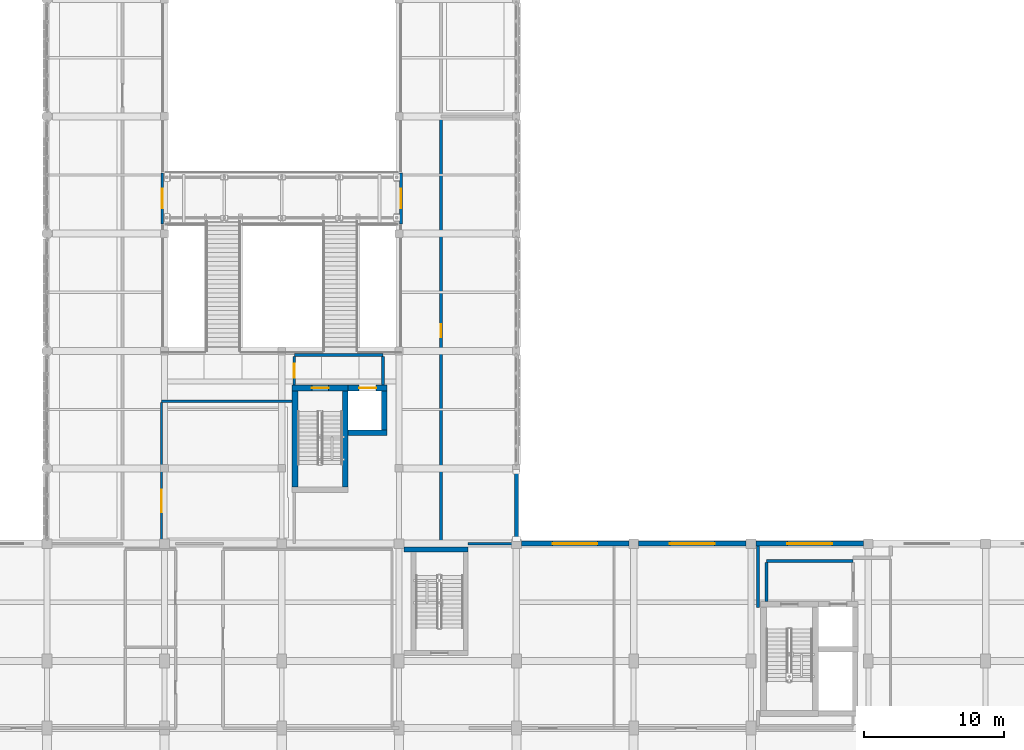
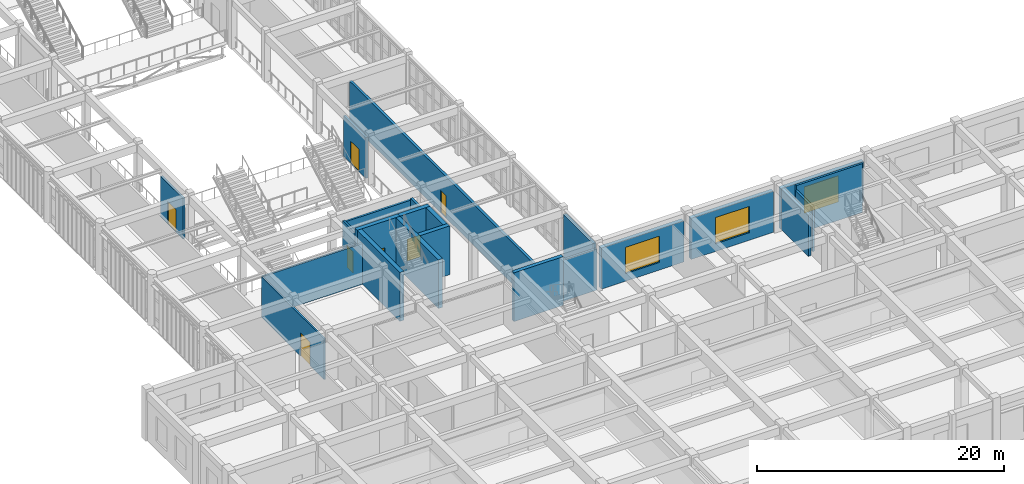
# One storey, part 86 of 106: 23 walls, 7 doors, 3 windows, 10 openings.
"""IFC4 building model written with IfcOpenShell, lengths in metres."""

from ifc_helpers import new_model, si_unit, direction, frame, frame_2d, origin, place, context, subcontext, project, spatial, rectangle, extrude, material, layer, layer_set, type_object, element, fill, save


model = new_model("IFC4")

# Units and contexts
model_context = context("Model", 3, precision=1e-05, world=origin(), true_north=direction((0.0, 1.0)))
body_context = subcontext(model_context, "Body", "Model", "MODEL_VIEW")
ifc_project = project(units=[si_unit("LENGTHUNIT", "METRE"), si_unit("AREAUNIT", "SQUARE_METRE"), si_unit("VOLUMEUNIT", "CUBIC_METRE"), si_unit("PLANEANGLEUNIT", "RADIAN"), si_unit("MASSUNIT", "GRAM", prefix="KILO")], contexts=[model_context])

# Site, building, storey
site_placement = place(None, origin())
site = spatial("IfcSite", under=ifc_project, at=site_placement, CompositionType="ELEMENT")
building_placement = place(site_placement, origin())
building = spatial("IfcBuilding", under=site, at=building_placement, Name="Krzemoval Escarpment Law Courts", CompositionType="ELEMENT")
storey_placement = place(building_placement, frame((0.0, 0.0, 5.10009765625)))
storey = spatial("IfcBuildingStorey", under=building, at=storey_placement, Name="L01", CompositionType="ELEMENT", Elevation=5.10009765625)

# Wall
ifc_material_1 = material(Name="Precast concrete C40/50", Category="concrete")
ifc_layer_1 = layer(ifc_material_1, 0.300048828125)
ifc_layer_set_1 = layer_set([ifc_layer_1], Name="Precast concrete C40/50")
wall_type_1 = type_object("IfcWallType", Name="WL-EXT-300", PredefinedType="SOLIDWALL", material=ifc_layer_set_1)
wall_1_placement = place(storey_placement, frame((42.0, 40.52490234375, 0.0), z_axis=(0.0, 0.0, 1.0), x_axis=(0.0, -1.0, 0.0)))
element("IfcWall", 1, at=wall_1_placement, inside=storey, type_object=wall_type_1, Name="Exterior Wall EW-L01-0257", PredefinedType="SOLIDWALL", context=body_context, shape_type="SweptSolid", body=[
    extrude(rectangle(XDim=4.77490234375, YDim=0.300048828125, at=frame_2d((2.387451171875, 0.0))), origin(), (0.0, 0.0, 1.0), 4.369873046875),
])

# Wall, opening, window
ifc_material_2 = material(Name="Precast concrete C40/50", Category="concrete")
ifc_layer_2 = layer(ifc_material_2, 0.360107421875)
ifc_layer_set_2 = layer_set([ifc_layer_2], Name="Precast concrete C40/50")
wall_type_2 = type_object("IfcWallType", Name="WL-EXT-360", PredefinedType="SOLIDWALL", material=ifc_layer_set_2)
wall_2_placement = place(storey_placement, frame((42.35009765625, 35.39990234375, 0.0), z_axis=(0.0, 0.0, 1.0), x_axis=(1.0, 0.0, 0.0)))
wall_2 = element("IfcWall", 2, at=wall_2_placement, inside=storey, type_object=wall_type_2, Name="Exterior Wall EW-L01-0258", PredefinedType="SOLIDWALL", context=body_context, shape_type="SweptSolid", body=[
    extrude(rectangle(XDim=7.699951171875, YDim=0.360107421875, at=frame_2d((3.85009765625, 0.0))), origin(), (0.0, 0.0, 1.0), 4.06982421875),
])
opening_1_placement = place(wall_2_placement, frame((2.25, 0.0, 0.75)))
opening_1 = element("IfcOpeningElement", 3, at=opening_1_placement, cuts=wall_2, Name="Opening WN-L01-0273", PredefinedType="OPENING", context=body_context, shape_type="SweptSolid", body=[
    extrude(rectangle(XDim=3.199951171875, YDim=2.60009765625, at=frame_2d((1.60009765625, 1.300048828125))), frame((0.0, 0.19505, 0.0), z_axis=(0.0, -1.0, 0.0), x_axis=(1.0, 0.0, 0.0)), (0.0, 0.0, 1.0), 0.39011),
])
ifc_material_3 = material(Name="Thermally Broken Aluminium Frame with Triple Low-E Acoustic Glass", Category="aluminium")
window_type = type_object("IfcWindowType", Name="WN-3200x2600", PartitioningType="SINGLE_PANEL", PredefinedType="WINDOW", material=ifc_material_3)
window_1_placement = place(opening_1_placement, origin())
window_1 = element("IfcWindow", 4, at=window_1_placement, inside=storey, type_object=window_type, Name="Facade Window WN-L01-0273", OverallHeight=2.60009765625, OverallWidth=3.199951171875, PartitioningType="SINGLE_PANEL", PredefinedType="WINDOW", context=body_context, shape_type="SweptSolid", body=[
    extrude(rectangle(XDim=3.199951171875, YDim=2.60009765625, at=frame_2d((1.60009765625, 1.300048828125))), frame((0.0, 0.030029296875, 0.0), z_axis=(0.0, -1.0, 0.0), x_axis=(1.0, 0.0, 0.0)), (0.0, 0.0, 1.0), 0.06005859375),
])
fill(opening_1, window_1)

wall_3_placement = place(storey_placement, frame((50.75, 35.39990234375, 0.0), z_axis=(0.0, 0.0, 1.0), x_axis=(1.0, 0.0, 0.0)))
wall_3 = element("IfcWall", 5, at=wall_3_placement, inside=storey, type_object=wall_type_2, Name="Exterior Wall EW-L01-0259", PredefinedType="SOLIDWALL", context=body_context, shape_type="SweptSolid", body=[
    extrude(rectangle(XDim=7.699951171875, YDim=0.360107421875, at=frame_2d((3.85009765625, 0.0))), origin(), (0.0, 0.0, 1.0), 4.06982421875),
])
opening_2_placement = place(wall_3_placement, frame((2.25, 0.0, 0.75)))
opening_2 = element("IfcOpeningElement", 6, at=opening_2_placement, cuts=wall_3, Name="Opening WN-L01-0274", PredefinedType="OPENING", context=body_context, shape_type="SweptSolid", body=[
    extrude(rectangle(XDim=3.199951171875, YDim=2.60009765625, at=frame_2d((1.60009765625, 1.300048828125))), frame((0.0, 0.19505, 0.0), z_axis=(0.0, -1.0, 0.0), x_axis=(1.0, 0.0, 0.0)), (0.0, 0.0, 1.0), 0.39011),
])
window_2_placement = place(opening_2_placement, origin())
window_2 = element("IfcWindow", 7, at=window_2_placement, inside=storey, type_object=window_type, Name="Facade Window WN-L01-0274", OverallHeight=2.60009765625, OverallWidth=3.199951171875, PartitioningType="SINGLE_PANEL", PredefinedType="WINDOW", context=body_context, shape_type="SweptSolid", body=[
    extrude(rectangle(XDim=3.199951171875, YDim=2.60009765625, at=frame_2d((1.60009765625, 1.300048828125))), frame((0.0, 0.030029296875, 0.0), z_axis=(0.0, -1.0, 0.0), x_axis=(1.0, 0.0, 0.0)), (0.0, 0.0, 1.0), 0.06005859375),
])
fill(opening_2, window_2)

wall_4_placement = place(storey_placement, frame((59.14990234375, 35.39990234375, 0.0), z_axis=(0.0, 0.0, 1.0), x_axis=(1.0, 0.0, 0.0)))
wall_4 = element("IfcWall", 8, at=wall_4_placement, inside=storey, type_object=wall_type_2, Name="Exterior Wall EW-L01-0260", PredefinedType="SOLIDWALL", context=body_context, shape_type="SweptSolid", body=[
    extrude(rectangle(XDim=7.7001953125, YDim=0.360107421875, at=frame_2d((3.85009765625, 0.0))), origin(), (0.0, 0.0, 1.0), 4.06982421875),
])
opening_3_placement = place(wall_4_placement, frame((2.25, 0.0, 0.75)))
opening_3 = element("IfcOpeningElement", 9, at=opening_3_placement, cuts=wall_4, Name="Opening WN-L01-0275", PredefinedType="OPENING", context=body_context, shape_type="SweptSolid", body=[
    extrude(rectangle(XDim=3.199951171875, YDim=2.60009765625, at=frame_2d((1.60009765625, 1.300048828125))), frame((0.0, 0.19505, 0.0), z_axis=(0.0, -1.0, 0.0), x_axis=(1.0, 0.0, 0.0)), (0.0, 0.0, 1.0), 0.39011),
])
window_3_placement = place(opening_3_placement, origin())
window_3 = element("IfcWindow", 10, at=window_3_placement, inside=storey, type_object=window_type, Name="Facade Window WN-L01-0275", OverallHeight=2.60009765625, OverallWidth=3.199951171875, PartitioningType="SINGLE_PANEL", PredefinedType="WINDOW", context=body_context, shape_type="SweptSolid", body=[
    extrude(rectangle(XDim=3.199951171875, YDim=2.60009765625, at=frame_2d((1.60009765625, 1.300048828125))), frame((0.0, 0.030029296875, 0.0), z_axis=(0.0, -1.0, 0.0), x_axis=(1.0, 0.0, 0.0)), (0.0, 0.0, 1.0), 0.06005859375),
])
fill(opening_3, window_3)

# Wall, opening, door
ifc_material_4 = material(Name="Office Acoustic Partition Wall", Category="gypsum")
ifc_layer_3 = layer(ifc_material_4, 0.14990234375)
ifc_layer_set_3 = layer_set([ifc_layer_3], Name="Office Acoustic Partition Wall")
wall_type_3 = type_object("IfcWallType", Name="WL-PRT-150", PredefinedType="PARTITIONING", material=ifc_layer_set_3)
wall_5_placement = place(storey_placement, frame((16.60009765625, 35.39990234375, 0.0), z_axis=(0.0, 0.0, 1.0), x_axis=(0.0, 1.0, 0.0)))
wall_5 = element("IfcWall", 11, at=wall_5_placement, inside=storey, type_object=wall_type_3, Name="Interior Partition PW-L01-0299", PredefinedType="PARTITIONING", context=body_context, shape_type="SweptSolid", body=[
    extrude(rectangle(XDim=10.108154296875, YDim=0.14990234375, at=frame_2d((5.05419921875, 0.0))), origin(), (0.0, 0.0, 1.0), 4.02001953125),
])
opening_4_placement = place(wall_5_placement, frame((2.25390625, 0.0, 0.0)))
opening_4 = element("IfcOpeningElement", 12, at=opening_4_placement, cuts=wall_5, Name="Opening D-L01-0108", PredefinedType="OPENING", context=body_context, shape_type="SweptSolid", body=[
    extrude(rectangle(XDim=1.60009765625, YDim=2.300048828125, at=frame_2d((0.800048828125, 1.14990234375))), frame((0.0, 0.08995, 0.0), z_axis=(0.0, -1.0, 0.0), x_axis=(1.0, 0.0, 0.0)), (0.0, 0.0, 1.0), 0.1799),
])
ifc_material_5 = material(Name="Engineered Solid-Core Oak Acoustic Timber", Category="wood")
door_type_1 = type_object("IfcDoorType", Name="DR-CRT-1600x2300", OperationType="SINGLE_SWING_LEFT", PredefinedType="DOOR", material=ifc_material_5)
door_1_placement = place(opening_4_placement, origin())
door_1 = element("IfcDoor", 13, at=door_1_placement, inside=storey, type_object=door_type_1, Name="Room Door D-L01-0108", OperationType="SINGLE_SWING_LEFT", OverallHeight=2.300048828125, OverallWidth=1.60009765625, PredefinedType="DOOR", context=body_context, shape_type="SweptSolid", body=[
    extrude(rectangle(XDim=1.60009765625, YDim=2.300048828125, at=frame_2d((0.800048828125, 1.14990234375))), frame((0.0, 0.02490234375, 0.0), z_axis=(0.0, -1.0, 0.0), x_axis=(1.0, 0.0, 0.0)), (0.0, 0.0, 1.0), 0.050048828125),
])
fill(opening_4, door_1)

# Wall
ifc_material_6 = material(Name="Judicial Chambers Acoustic Partition", Category="gypsum")
ifc_layer_4 = layer(ifc_material_6, 0.179931640625)
ifc_layer_set_4 = layer_set([ifc_layer_4], Name="Judicial Chambers Acoustic Partition")
wall_type_4 = type_object("IfcWallType", Name="WL-PRT-180", PredefinedType="PARTITIONING", material=ifc_layer_set_4)
wall_6_placement = place(storey_placement, frame((16.60009765625, 45.60009765625, 0.0), z_axis=(0.0, 0.0, 1.0), x_axis=(1.0, 0.0, 0.0)))
element("IfcWall", 14, at=wall_6_placement, inside=storey, type_object=wall_type_4, Name="Interior Partition PW-L01-0263", PredefinedType="PARTITIONING", context=body_context, shape_type="SweptSolid", body=[
    extrude(rectangle(XDim=9.347900390625, YDim=0.179931640625, at=frame_2d((4.673828125, 0.0))), origin(), (0.0, 0.0, 1.0), 4.02001953125),
])

# Wall, opening, door
ifc_material_7 = material(Name="Fire-Rated Corridor Partition Wall", Category="gypsum")
ifc_layer_5 = layer(ifc_material_7, 0.199951171875)
ifc_layer_set_5 = layer_set([ifc_layer_5], Name="Fire-Rated Corridor Partition Wall")
wall_type_5 = type_object("IfcWallType", Name="WL-PRT-200", PredefinedType="PARTITIONING", material=ifc_layer_set_5)
wall_7_placement = place(storey_placement, frame((16.64990234375, 58.300048828125, 0.0), z_axis=(0.0, 0.0, 1.0), x_axis=(0.0, 1.0, 0.0)))
wall_7 = element("IfcWall", 15, at=wall_7_placement, inside=storey, type_object=wall_type_5, Name="Atrium Bridge Smoke Portal Wall PW-L01-0001", PredefinedType="PARTITIONING", context=body_context, shape_type="SweptSolid", body=[
    extrude(rectangle(XDim=3.6298828125, YDim=0.199951171875, at=frame_2d((1.81494140625, 0.0))), origin(), (0.0, 0.0, 1.0), 4.02001953125),
])
opening_5_placement = place(wall_7_placement, frame((1.114990234375, 0.0, 0.0)))
opening_5 = element("IfcOpeningElement", 16, at=opening_5_placement, cuts=wall_7, Name="Opening D-L01-0001", PredefinedType="OPENING", context=body_context, shape_type="SweptSolid", body=[
    extrude(rectangle(XDim=1.39990234375, YDim=2.199951171875, at=frame_2d((0.699951171875, 1.10009765625))), frame((0.0, 0.11498, 0.0), z_axis=(0.0, -1.0, 0.0), x_axis=(1.0, 0.0, 0.0)), (0.0, 0.0, 1.0), 0.22995),
])
ifc_material_8 = material(Name="Galvanised Steel S355", Category="steel")
door_type_2 = type_object("IfcDoorType", Name="DR-FFL-1400x2200", OperationType="SINGLE_SWING_LEFT", PredefinedType="DOOR", material=ifc_material_8)
door_2_placement = place(opening_5_placement, origin())
door_2 = element("IfcDoor", 17, at=door_2_placement, inside=storey, type_object=door_type_2, Name="Atrium Bridge Smoke Door D-L01-0001", OperationType="SINGLE_SWING_LEFT", OverallHeight=2.199951171875, OverallWidth=1.39990234375, PredefinedType="DOOR", context=body_context, shape_type="SweptSolid", body=[
    extrude(rectangle(XDim=1.39990234375, YDim=2.199951171875, at=frame_2d((0.699951171875, 1.10009765625))), frame((0.0, 0.02490234375, 0.0), z_axis=(0.0, -1.0, 0.0), x_axis=(1.0, 0.0, 0.0)), (0.0, 0.0, 1.0), 0.050048828125),
])
fill(opening_5, door_2)

wall_8_placement = place(storey_placement, frame((33.75, 58.300048828125, 0.0), z_axis=(0.0, 0.0, 1.0), x_axis=(0.0, 1.0, 0.0)))
wall_8 = element("IfcWall", 18, at=wall_8_placement, inside=storey, type_object=wall_type_5, Name="Atrium Bridge Smoke Portal Wall PW-L01-0002", PredefinedType="PARTITIONING", context=body_context, shape_type="SweptSolid", body=[
    extrude(rectangle(XDim=3.6298828125, YDim=0.199951171875, at=frame_2d((1.81494140625, 0.0))), origin(), (0.0, 0.0, 1.0), 4.02001953125),
])
opening_6_placement = place(wall_8_placement, frame((1.114990234375, 0.0, 0.0)))
opening_6 = element("IfcOpeningElement", 19, at=opening_6_placement, cuts=wall_8, Name="Opening D-L01-0002", PredefinedType="OPENING", context=body_context, shape_type="SweptSolid", body=[
    extrude(rectangle(XDim=1.39990234375, YDim=2.199951171875, at=frame_2d((0.699951171875, 1.10009765625))), frame((0.0, 0.11498, 0.0), z_axis=(0.0, -1.0, 0.0), x_axis=(1.0, 0.0, 0.0)), (0.0, 0.0, 1.0), 0.22995),
])
door_3_placement = place(opening_6_placement, origin())
door_3 = element("IfcDoor", 20, at=door_3_placement, inside=storey, type_object=door_type_2, Name="Atrium Bridge Smoke Door D-L01-0002", OperationType="SINGLE_SWING_LEFT", OverallHeight=2.199951171875, OverallWidth=1.39990234375, PredefinedType="DOOR", context=body_context, shape_type="SweptSolid", body=[
    extrude(rectangle(XDim=1.39990234375, YDim=2.199951171875, at=frame_2d((0.699951171875, 1.10009765625))), frame((0.0, 0.02490234375, 0.0), z_axis=(0.0, -1.0, 0.0), x_axis=(1.0, 0.0, 0.0)), (0.0, 0.0, 1.0), 0.050048828125),
])
fill(opening_6, door_3)

# Walls
wall_9_placement = place(storey_placement, frame((59.89990234375, 34.14990234375, 0.0), z_axis=(0.0, 0.0, 1.0), x_axis=(1.0, 0.0, 0.0)))
element("IfcWall", 21, at=wall_9_placement, inside=storey, type_object=wall_type_5, Name="Interior Partition PW-L01-0251", PredefinedType="PARTITIONING", context=body_context, shape_type="SweptSolid", body=[
    extrude(rectangle(XDim=6.2001953125, YDim=0.199951171875, at=frame_2d((3.10009765625, 0.0))), origin(), (0.0, 0.0, 1.0), 4.81982421875),
])
wall_10_placement = place(storey_placement, frame((38.550048828125, 35.39990234375, 0.0), z_axis=(0.0, 0.0, 1.0), x_axis=(1.0, 0.0, 0.0)))
element("IfcWall", 22, at=wall_10_placement, inside=storey, type_object=wall_type_5, Name="Interior Partition PW-L01-0259", PredefinedType="PARTITIONING", context=body_context, shape_type="SweptSolid", body=[
    extrude(rectangle(XDim=3.4150390625, YDim=0.199951171875, at=frame_2d((1.70751953125, 0.0))), origin(), (0.0, 0.0, 1.0), 4.06982421875),
])
wall_11_placement = place(storey_placement, frame((26.10009765625, 48.89990234375, 0.0), z_axis=(0.0, 0.0, 1.0), x_axis=(1.0, 0.0, 0.0)))
element("IfcWall", 23, at=wall_11_placement, inside=storey, type_object=wall_type_5, Name="Interior Partition PW-L01-0264", PredefinedType="PARTITIONING", context=body_context, shape_type="SweptSolid", body=[
    extrude(rectangle(XDim=6.349853515625, YDim=0.199951171875, at=frame_2d((3.1748046875, 0.0))), origin(), (0.0, 0.0, 1.0), 4.06982421875),
])

# Wall, opening, door
wall_12_placement = place(storey_placement, frame((26.10009765625, 46.751953125, 0.0), z_axis=(0.0, 0.0, 1.0), x_axis=(0.0, 1.0, 0.0)))
wall_12 = element("IfcWall", 24, at=wall_12_placement, inside=storey, type_object=wall_type_5, Name="Interior Partition PW-L01-0306", PredefinedType="PARTITIONING", context=body_context, shape_type="SweptSolid", body=[
    extrude(rectangle(XDim=2.046142578125, YDim=0.199951171875, at=frame_2d((1.02294921875, 0.0))), origin(), (0.0, 0.0, 1.0), 4.27001953125),
])
opening_7_placement = place(wall_12_placement, frame((0.52294921875, 0.0, 0.0)))
opening_7 = element("IfcOpeningElement", 25, at=opening_7_placement, cuts=wall_12, Name="Opening D-L01-0084", PredefinedType="OPENING", context=body_context, shape_type="SweptSolid", body=[
    extrude(rectangle(XDim=1.0, YDim=2.10009765625, at=frame_2d((0.5, 1.050048828125))), frame((0.0, 0.11498, 0.0), z_axis=(0.0, -1.0, 0.0), x_axis=(1.0, 0.0, 0.0)), (0.0, 0.0, 1.0), 0.22995),
])
ifc_material_9 = material(Name="Engineered Solid-Core Oak Acoustic Timber", Category="wood")
door_type_3 = type_object("IfcDoorType", Name="DR-INT-1000x2100", OperationType="SINGLE_SWING_LEFT", PredefinedType="DOOR", material=ifc_material_9)
door_4_placement = place(opening_7_placement, origin())
door_4 = element("IfcDoor", 26, at=door_4_placement, inside=storey, type_object=door_type_3, Name="Room Door D-L01-0084", OperationType="SINGLE_SWING_RIGHT", OverallHeight=2.10009765625, OverallWidth=1.0, PredefinedType="DOOR", context=body_context, shape_type="SweptSolid", body=[
    extrude(rectangle(XDim=1.0, YDim=2.10009765625, at=frame_2d((0.5, 1.050048828125))), frame((0.0, 0.02490234375, 0.0), z_axis=(0.0, -1.0, 0.0), x_axis=(1.0, 0.0, 0.0)), (0.0, 0.0, 1.0), 0.050048828125),
])
fill(opening_7, door_4)

# Walls
wall_13_placement = place(storey_placement, frame((32.449951171875, 46.751953125, 0.0), z_axis=(0.0, 0.0, 1.0), x_axis=(0.0, 1.0, 0.0)))
element("IfcWall", 27, at=wall_13_placement, inside=storey, type_object=wall_type_5, Name="Interior Partition PW-L01-0308", PredefinedType="PARTITIONING", context=body_context, shape_type="SweptSolid", body=[
    extrude(rectangle(XDim=2.046142578125, YDim=0.199951171875, at=frame_2d((1.02294921875, 0.0))), origin(), (0.0, 0.0, 1.0), 4.27001953125),
])
wall_14_placement = place(storey_placement, frame((59.89990234375, 31.27197265625, 0.0), z_axis=(0.0, 0.0, 1.0), x_axis=(0.0, 1.0, 0.0)))
element("IfcWall", 28, at=wall_14_placement, inside=storey, type_object=wall_type_5, Name="Interior Partition PW-L01-0321", PredefinedType="PARTITIONING", context=body_context, shape_type="SweptSolid", body=[
    extrude(rectangle(XDim=2.776123046875, YDim=0.199951171875, at=frame_2d((1.38818359375, 0.0))), origin(), (0.0, 0.0, 1.0), 4.369873046875),
])

# Wall, opening, door
ifc_material_10 = material(Name="Acoustic Courtroom Partition Assembly", Category="gypsum")
ifc_layer_6 = layer(ifc_material_10, 0.239990234375)
ifc_layer_set_6 = layer_set([ifc_layer_6], Name="Acoustic Courtroom Partition Assembly")
wall_type_6 = type_object("IfcWallType", Name="WL-PRT-240", PredefinedType="PARTITIONING", material=ifc_layer_set_6)
wall_15_placement = place(storey_placement, frame((36.60009765625, 35.39990234375, 0.0), z_axis=(0.0, 0.0, 1.0), x_axis=(0.0, 1.0, 0.0)))
wall_15 = element("IfcWall", 29, at=wall_15_placement, inside=storey, type_object=wall_type_6, Name="Interior Partition PW-L01-0313", PredefinedType="PARTITIONING", context=body_context, shape_type="SweptSolid", body=[
    extrude(rectangle(XDim=30.488037109375, YDim=0.239990234375, at=frame_2d((15.244140625, 0.0))), origin(), (0.0, 0.0, 1.0), 4.06982421875),
])
opening_8_placement = place(wall_15_placement, frame((14.7939453125, 0.0, 0.0)))
opening_8 = element("IfcOpeningElement", 30, at=opening_8_placement, cuts=wall_15, Name="Opening D-L01-0109", PredefinedType="OPENING", context=body_context, shape_type="SweptSolid", body=[
    extrude(rectangle(XDim=0.89990234375, YDim=2.199951171875, at=frame_2d((0.449951171875, 1.10009765625))), frame((0.0, 0.135, 0.0), z_axis=(0.0, -1.0, 0.0), x_axis=(1.0, 0.0, 0.0)), (0.0, 0.0, 1.0), 0.26999),
])
ifc_material_11 = material(Name="Engineered Solid-Core Oak Acoustic Timber", Category="wood")
door_type_4 = type_object("IfcDoorType", Name="DR-INT-900x2200", OperationType="SINGLE_SWING_LEFT", PredefinedType="DOOR", material=ifc_material_11)
door_5_placement = place(opening_8_placement, origin())
door_5 = element("IfcDoor", 31, at=door_5_placement, inside=storey, type_object=door_type_4, Name="Room Door D-L01-0109", OperationType="SINGLE_SWING_RIGHT", OverallHeight=2.199951171875, OverallWidth=0.89990234375, PredefinedType="DOOR", context=body_context, shape_type="SweptSolid", body=[
    extrude(rectangle(XDim=0.89990234375, YDim=2.199951171875, at=frame_2d((0.449951171875, 1.10009765625))), frame((0.0, 0.02490234375, 0.0), z_axis=(0.0, -1.0, 0.0), x_axis=(1.0, 0.0, 0.0)), (0.0, 0.0, 1.0), 0.050048828125),
])
fill(opening_8, door_5)

# Walls
wall_16_placement = place(storey_placement, frame((59.300048828125, 30.847900390625, 0.0), z_axis=(0.0, 0.0, 1.0), x_axis=(0.0, 1.0, 0.0)))
element("IfcWall", 32, at=wall_16_placement, inside=storey, type_object=wall_type_6, Name="Interior Partition PW-L01-0320", PredefinedType="PARTITIONING", context=body_context, shape_type="SweptSolid", body=[
    extrude(rectangle(XDim=4.3701171875, YDim=0.239990234375, at=frame_2d((2.18505859375, 0.0))), origin(), (0.0, 0.0, 1.0), 4.06982421875),
])
ifc_material_12 = material(Name="Concrete C40/50", Category="concrete")
ifc_layer_7 = layer(ifc_material_12, 0.35009765625)
ifc_layer_set_7 = layer_set([ifc_layer_7], Name="Concrete C40/50")
wall_type_7 = type_object("IfcWallType", Name="WL-SHW-350", PredefinedType="SHEAR", material=ifc_layer_set_7)
wall_17_placement = place(storey_placement, frame((33.93896484375, 34.97509765625, 0.0), z_axis=(0.0, 0.0, 1.0), x_axis=(1.0, 0.0, 0.0)))
element("IfcWall", 33, at=wall_17_placement, inside=storey, type_object=wall_type_7, Name="Core Stair Shear Wall SW-L01-0603", PredefinedType="SHEAR", context=body_context, shape_type="SweptSolid", body=[
    extrude(rectangle(XDim=4.611083984375, YDim=0.35009765625, at=frame_2d((2.3056640625, 0.0))), origin(), (0.0, 0.0, 1.0), 4.81982421875),
])

# Wall, opening, door
ifc_material_13 = material(Name="Concrete C40/50", Category="concrete")
ifc_layer_8 = layer(ifc_material_13, 0.39990234375)
ifc_layer_set_8 = layer_set([ifc_layer_8], Name="Concrete C40/50")
wall_type_8 = type_object("IfcWallType", Name="WL-SHW-400", PredefinedType="SHEAR", material=ifc_layer_set_8)
wall_18_placement = place(storey_placement, frame((25.949951171875, 46.550048828125, 0.0), z_axis=(0.0, 0.0, 1.0), x_axis=(1.0, 0.0, 0.0)))
wall_18 = element("IfcWall", 34, at=wall_18_placement, inside=storey, type_object=wall_type_8, Name="Core Stair Shear Wall SW-L01-0519", PredefinedType="SHEAR", context=body_context, shape_type="SweptSolid", body=[
    extrude(rectangle(XDim=4.0, YDim=0.39990234375, at=frame_2d((2.0, 0.0))), origin(), (0.0, 0.0, 1.0), 4.81982421875),
])
opening_9_placement = place(wall_18_placement, frame((1.39990234375, 0.0, 0.0)))
opening_9 = element("IfcOpeningElement", 35, at=opening_9_placement, cuts=wall_18, Name="Opening SD-ST5-L01", PredefinedType="OPENING", context=body_context, shape_type="SweptSolid", body=[
    extrude(rectangle(XDim=1.199951171875, YDim=2.199951171875, at=frame_2d((0.60009765625, 1.10009765625))), frame((0.0, 0.21495, 0.0), z_axis=(0.0, -1.0, 0.0), x_axis=(1.0, 0.0, 0.0)), (0.0, 0.0, 1.0), 0.4299),
])
ifc_material_14 = material(Name="Galvanised Steel S355", Category="steel")
door_type_5 = type_object("IfcDoorType", Name="DR-STR-1200x2200", OperationType="SINGLE_SWING_LEFT", PredefinedType="DOOR", material=ifc_material_14)
door_6_placement = place(opening_9_placement, origin())
door_6 = element("IfcDoor", 36, at=door_6_placement, inside=storey, type_object=door_type_5, Name="Stair Exit Door SD-ST5-L01", OperationType="SINGLE_SWING_LEFT", OverallHeight=2.199951171875, OverallWidth=1.199951171875, PredefinedType="DOOR", context=body_context, shape_type="SweptSolid", body=[
    extrude(rectangle(XDim=1.199951171875, YDim=2.199951171875, at=frame_2d((0.60009765625, 1.10009765625))), frame((0.0, 0.02490234375, 0.0), z_axis=(0.0, -1.0, 0.0), x_axis=(1.0, 0.0, 0.0)), (0.0, 0.0, 1.0), 0.050048828125),
])
fill(opening_9, door_6)

# Walls
for number, where, z_axis, x_axis, name in (
    (37, (26.14990234375, 39.451904296875, 0.0), (0.0, 0.0, 1.0), (0.0, 1.0, 0.0), "Core Stair Shear Wall SW-L01-0521"),
    (38, (29.75, 39.451904296875, 0.0), (0.0, 0.0, 1.0), (0.0, 1.0, 0.0), "Core Stair Shear Wall SW-L01-0522"),
):
    element("IfcWall", number, at=place(storey_placement, frame(where, z_axis=z_axis, x_axis=x_axis)), inside=storey, type_object=wall_type_8, Name=name, PredefinedType="SHEAR", context=body_context, shape_type="SweptSolid", body=[
        extrude(rectangle(XDim=6.89599609375, YDim=0.39990234375, at=frame_2d((3.447998046875, 0.0))), origin(), (0.0, 0.0, 1.0), 4.81982421875),
    ])
wall_19_placement = place(storey_placement, frame((29.951904296875, 43.35009765625, 0.0), z_axis=(0.0, 0.0, 1.0), x_axis=(1.0, 0.0, 0.0)))
element("IfcWall", 39, at=wall_19_placement, inside=storey, type_object=wall_type_8, Name="Lift Shaft Shear Wall SW-L01-0523", PredefinedType="SHEAR", context=body_context, shape_type="SweptSolid", body=[
    extrude(rectangle(XDim=2.798095703125, YDim=0.39990234375, at=frame_2d((1.39892578125, 0.0))), origin(), (0.0, 0.0, 1.0), 4.81982421875),
])

# Wall, opening, door
wall_20_placement = place(storey_placement, frame((29.949951171875, 46.550048828125, 0.0), z_axis=(0.0, 0.0, 1.0), x_axis=(1.0, 0.0, 0.0)))
wall_20 = element("IfcWall", 40, at=wall_20_placement, inside=storey, type_object=wall_type_8, Name="Lift Shaft Shear Wall SW-L01-0524", PredefinedType="SHEAR", context=body_context, shape_type="SweptSolid", body=[
    extrude(rectangle(XDim=2.800048828125, YDim=0.39990234375, at=frame_2d((1.39990234375, 0.0))), origin(), (0.0, 0.0, 1.0), 4.81982421875),
])
opening_10_placement = place(wall_20_placement, frame((0.800048828125, 0.0, 0.0)))
opening_10 = element("IfcOpeningElement", 41, at=opening_10_placement, cuts=wall_20, Name="Opening LD-PL4-L01", PredefinedType="OPENING", context=body_context, shape_type="SweptSolid", body=[
    extrude(rectangle(XDim=1.199951171875, YDim=2.14990234375, at=frame_2d((0.60009765625, 1.074951171875))), frame((0.0, 0.21495, 0.0), z_axis=(0.0, -1.0, 0.0), x_axis=(1.0, 0.0, 0.0)), (0.0, 0.0, 1.0), 0.4299),
])
ifc_material_15 = material(Name="Engineered Solid-Core Oak Acoustic Timber", Category="wood")
door_type_6 = type_object("IfcDoorType", Name="DR-LFT-1200x2150", OperationType="SINGLE_SWING_LEFT", PredefinedType="DOOR", material=ifc_material_15)
door_7_placement = place(opening_10_placement, origin())
door_7 = element("IfcDoor", 42, at=door_7_placement, inside=storey, type_object=door_type_6, Name="Lift Landing Door LD-PL4-L01", OperationType="DOUBLE_DOOR_SLIDING", OverallHeight=2.14990234375, OverallWidth=1.199951171875, PredefinedType="DOOR", context=body_context, shape_type="SweptSolid", body=[
    extrude(rectangle(XDim=1.199951171875, YDim=2.14990234375, at=frame_2d((0.60009765625, 1.074951171875))), frame((0.0, 0.02490234375, 0.0), z_axis=(0.0, -1.0, 0.0), x_axis=(1.0, 0.0, 0.0)), (0.0, 0.0, 1.0), 0.050048828125),
])
fill(opening_10, door_7)

# Wall
wall_21_placement = place(storey_placement, frame((32.550048828125, 43.552001953125, 0.0), z_axis=(0.0, 0.0, 1.0), x_axis=(0.0, 1.0, 0.0)))
element("IfcWall", 43, at=wall_21_placement, inside=storey, type_object=wall_type_8, Name="Lift Shaft Shear Wall SW-L01-0525", PredefinedType="SHEAR", context=body_context, shape_type="SweptSolid", body=[
    extrude(rectangle(XDim=2.7958984375, YDim=0.39990234375, at=frame_2d((1.39794921875, 0.0))), origin(), (0.0, 0.0, 1.0), 4.81982421875),
])

save(model, "model.ifc")
